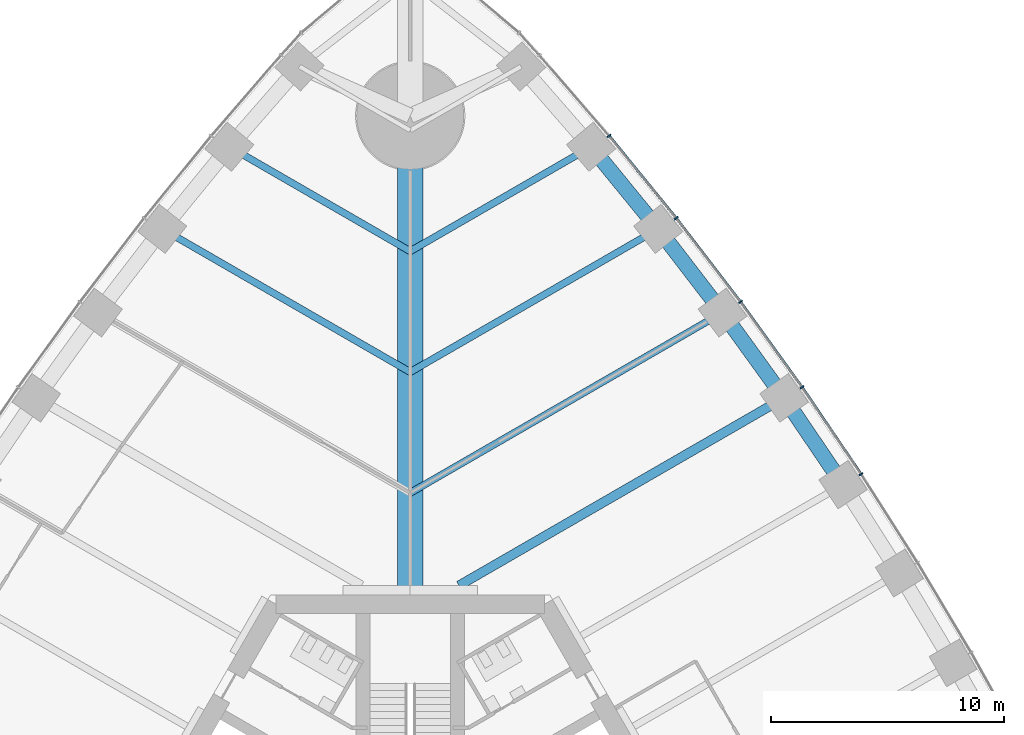
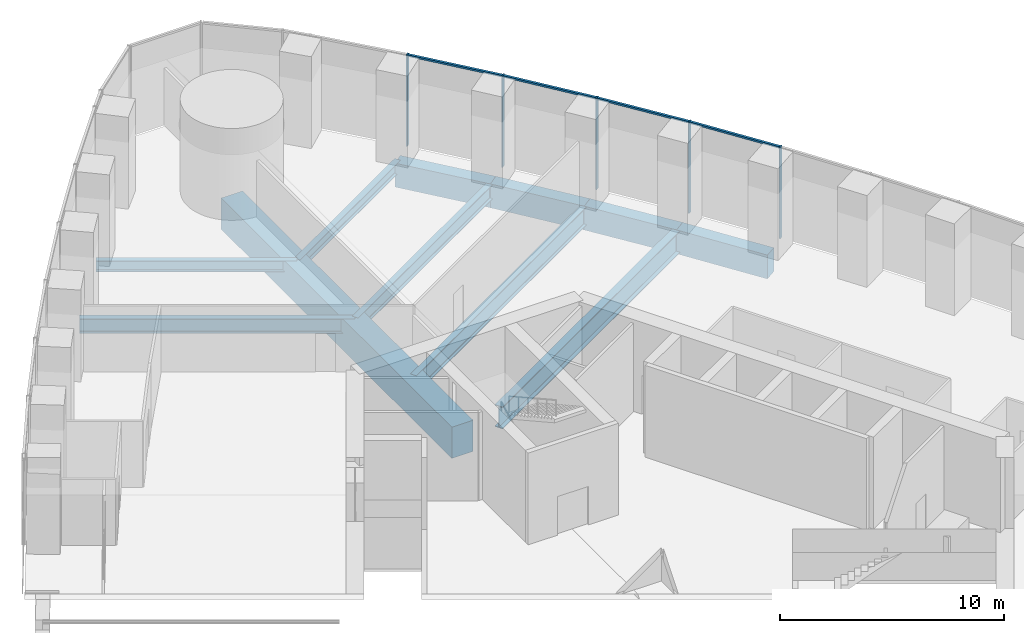
# One storey, part 10 of 21: 11 beams, 9 members, 1 element without a shape of its own.
"""IFC4 building model written with IfcOpenShell, lengths in metres."""

from ifc_helpers import new_model, si_unit, direction, frame, origin, origin_2d, place, context, subcontext, project, spatial, rectangle, i_section, extrude, material, material_profile, profile_set, type_object, element, aggregate, save


model = new_model("IFC4")

# Units and contexts
model_context = context("Model", 3, precision=1e-05, world=origin(), true_north=direction((0.0, 1.0)))
body_context = subcontext(model_context, "Body", "Model", "MODEL_VIEW")
ifc_project = project(units=[si_unit("LENGTHUNIT", "METRE"), si_unit("AREAUNIT", "SQUARE_METRE"), si_unit("VOLUMEUNIT", "CUBIC_METRE"), si_unit("PLANEANGLEUNIT", "RADIAN"), si_unit("MASSUNIT", "GRAM", prefix="KILO")], contexts=[model_context])

# Site, building, storey
site_placement = place(None, origin())
site = spatial("IfcSite", under=ifc_project, at=site_placement, CompositionType="ELEMENT")
building_placement = place(site_placement, origin())
building = spatial("IfcBuilding", under=site, at=building_placement, Name="Trefoil Bronze Tower", CompositionType="ELEMENT")
storey_placement = place(building_placement, frame((0.0, 0.0, 11.5)))
storey = spatial("IfcBuildingStorey", under=building, at=storey_placement, Name="L02", CompositionType="ELEMENT", Elevation=11.5)

# Curtain wall, members
ifc_material_1 = material(Name="Tinted solar-control glass", Category="glass")
curtain_wall_type = type_object("IfcCurtainWallType", Name="Bronze podium storefront curtain wall", PredefinedType="USERDEFINED", material=ifc_material_1)
curtain_wall_placement = place(storey_placement, origin())
curtain_wall = element("IfcCurtainWall", 1, at=curtain_wall_placement, inside=storey, type_object=curtain_wall_type, Name="CW-C L02 F2", ObjectType="CURTAIN WALL", PredefinedType="USERDEFINED")
ifc_material_2 = material(Name="Bronze-finish aluminium", Category="aluminium")
ifc_material_profile_1 = material_profile(ifc_material_2, rectangle(XDim=0.199951171875, YDim=0.06005859375, at=origin_2d()), Name="CW-C mullion")
ifc_profile_set_1 = profile_set([ifc_material_profile_1], Name="Bronze-finish aluminium")
member_type_1 = type_object("IfcMemberType", Name="Bronze podium storefront curtain wall mullion", PredefinedType="MULLION", material=ifc_profile_set_1)
member_1_placement = place(storey_placement, frame((19.38818359375, 21.5927734375, 0.0), z_axis=(0.0, 0.0, 1.0), x_axis=(-0.835543651684, -0.549424067665, 0.0)))
member_1 = element("IfcMember", 2, at=member_1_placement, type_object=member_type_1, Name="CW-C L02 F2 mullion 11", PredefinedType="MULLION", context=body_context, shape_type="SweptSolid", body=[
    extrude(rectangle(XDim=0.199951171875, YDim=0.06005859375, at=origin_2d()), origin(), (0.0, 0.0, 1.0), 4.97998046875),
])
member_2_placement = place(storey_placement, frame((16.853271484375, 25.32861328125, 0.0), z_axis=(0.0, 0.0, 1.0), x_axis=(-0.819204207116, -0.573501932903, 0.0)))
member_2 = element("IfcMember", 3, at=member_2_placement, type_object=member_type_1, Name="CW-C L02 F2 mullion 12", PredefinedType="MULLION", context=body_context, shape_type="SweptSolid", body=[
    extrude(rectangle(XDim=0.199951171875, YDim=0.06005859375, at=origin_2d()), origin(), (0.0, 0.0, 1.0), 4.97998046875),
])
member_3_placement = place(storey_placement, frame((14.20361328125, 28.99853515625, 0.0), z_axis=(0.0, 0.0, 1.0), x_axis=(-0.802126748469, -0.59715381552, 0.0)))
member_3 = element("IfcMember", 4, at=member_3_placement, type_object=member_type_1, Name="CW-C L02 F2 mullion 13", PredefinedType="MULLION", context=body_context, shape_type="SweptSolid", body=[
    extrude(rectangle(XDim=0.199951171875, YDim=0.06005859375, at=origin_2d()), origin(), (0.0, 0.0, 1.0), 4.97998046875),
])
member_4_placement = place(storey_placement, frame((11.4384765625, 32.6015625, 0.0), z_axis=(0.0, 0.0, 1.0), x_axis=(-0.784304615744, -0.620375910011, 0.0)))
member_4 = element("IfcMember", 5, at=member_4_placement, type_object=member_type_1, Name="CW-C L02 F2 mullion 14", PredefinedType="MULLION", context=body_context, shape_type="SweptSolid", body=[
    extrude(rectangle(XDim=0.199951171875, YDim=0.06005859375, at=origin_2d()), origin(), (0.0, 0.0, 1.0), 4.97998046875),
])
member_5_placement = place(storey_placement, frame((8.556640625, 36.13720703125, 0.0), z_axis=(0.0, 0.0, 1.0), x_axis=(-0.765729101889, -0.643163231629, 0.0)))
member_5 = element("IfcMember", 6, at=member_5_placement, type_object=member_type_1, Name="CW-C L02 F2 mullion 15", PredefinedType="MULLION", context=body_context, shape_type="SweptSolid", body=[
    extrude(rectangle(XDim=0.199951171875, YDim=0.06005859375, at=origin_2d()), origin(), (0.0, 0.0, 1.0), 4.97998046875),
])
ifc_material_3 = material(Name="Bronze-finish aluminium", Category="aluminium")
ifc_material_profile_2 = material_profile(ifc_material_3, rectangle(XDim=0.1201171875, YDim=0.10009765625, at=origin_2d()), Name="CW-C transom")
ifc_profile_set_2 = profile_set([ifc_material_profile_2], Name="Bronze-finish aluminium")
member_type_2 = type_object("IfcMemberType", Name="Bronze podium storefront curtain wall transom", PredefinedType="USERDEFINED", material=ifc_profile_set_2)
member_6_placement = place(storey_placement, frame((19.37060546875, 21.618896484375, 4.929931640625), z_axis=(-0.561502759392, 0.827474864388, 0.0), x_axis=(-0.827474864388, -0.561502759392, 0.0)))
member_6 = element("IfcMember", 7, at=member_6_placement, type_object=member_type_2, Name="CW-C L02 F2 transom 11", ObjectType="TRANSOM", PredefinedType="USERDEFINED", context=body_context, shape_type="SweptSolid", body=[
    extrude(rectangle(XDim=0.1201171875, YDim=0.10009765625, at=origin_2d()), origin(), (0.0, 0.0, 1.0), 4.451904296875),
])
member_7_placement = place(storey_placement, frame((16.834716796875, 25.354248046875, 4.929931640625), z_axis=(-0.585390692876, 0.810751340853, 0.0), x_axis=(-0.810751340853, -0.585390692876, 0.0)))
member_7 = element("IfcMember", 8, at=member_7_placement, type_object=member_type_2, Name="CW-C L02 F2 transom 12", ObjectType="TRANSOM", PredefinedType="USERDEFINED", context=body_context, shape_type="SweptSolid", body=[
    extrude(rectangle(XDim=0.1201171875, YDim=0.10009765625, at=origin_2d()), origin(), (0.0, 0.0, 1.0), 4.46337890625),
])
member_8_placement = place(storey_placement, frame((14.1845703125, 29.0234375, 4.929931640625), z_axis=(-0.608806818405, 0.79331850972, 0.0), x_axis=(-0.79331850972, -0.608806818405, 0.0)))
member_8 = element("IfcMember", 9, at=member_8_placement, type_object=member_type_2, Name="CW-C L02 F2 transom 13", ObjectType="TRANSOM", PredefinedType="USERDEFINED", context=body_context, shape_type="SweptSolid", body=[
    extrude(rectangle(XDim=0.1201171875, YDim=0.10009765625, at=origin_2d()), origin(), (0.0, 0.0, 1.0), 4.47900390625),
])
member_9_placement = place(storey_placement, frame((11.418701171875, 32.6259765625, 4.929931640625), z_axis=(-0.631829981334, 0.77510700854, 0.0), x_axis=(-0.77510700854, -0.631829981334, 0.0)))
member_9 = element("IfcMember", 10, at=member_9_placement, type_object=member_type_2, Name="CW-C L02 F2 transom 14", ObjectType="TRANSOM", PredefinedType="USERDEFINED", context=body_context, shape_type="SweptSolid", body=[
    extrude(rectangle(XDim=0.1201171875, YDim=0.10009765625, at=origin_2d()), origin(), (0.0, 0.0, 1.0), 4.49853515625),
])
aggregate(curtain_wall, [member_1, member_2, member_3, member_4, member_5, member_6, member_7, member_8, member_9])

# Beams
ifc_material_4 = material(Name="Concrete B80", Category="concrete")
ifc_material_profile_3 = material_profile(ifc_material_4, rectangle(XDim=1.10009765625, YDim=1.699951171875, at=origin_2d()), Name="RC 1100x1700")
ifc_profile_set_3 = profile_set([ifc_material_profile_3], Name="Concrete B80")
beam_type_1 = type_object("IfcBeamType", Name="Corner girder RC 1100x1700", PredefinedType="BEAM", material=ifc_profile_set_3)
beam_1_placement = place(storey_placement, frame((0.0, 16.39990234375, -1.050048828125), z_axis=(0.0, 1.0, 0.0), x_axis=(-1.0, 0.0, 0.0)))
element("IfcBeam", 11, at=beam_1_placement, inside=storey, type_object=beam_type_1, Name="Corner girder K2 L02", PredefinedType="BEAM", context=body_context, shape_type="SweptSolid", body=[
    extrude(rectangle(XDim=1.10009765625, YDim=1.699951171875, at=origin_2d()), origin(), (0.0, 0.0, 1.0), 20.60009765625),
])
ifc_material_5 = material(Name="Steel C355", Category="steel")
ifc_material_profile_4 = material_profile(ifc_material_5, i_section(OverallWidth=0.300048828125, OverallDepth=0.60009765625, WebThickness=0.015380859375, FlangeThickness=0.030029296875, FilletRadius=0.027099609375, at=origin_2d()), Name="HEB 600")
ifc_profile_set_4 = profile_set([ifc_material_profile_4], Name="Steel C355")
beam_type_2 = type_object("IfcBeamType", Name="Floor beam HEB 600", PredefinedType="BEAM", material=ifc_profile_set_4)
for number, where, z_axis, x_axis, name in (
    (12, (7.7763671875, 35.666748046875, -0.5), (-0.866022587327, -0.500004878216, 0.0), (0.500004878216, -0.866022587327, 0.0), "Floor beam F2/+6 L02"),
    (13, (-7.7763671875, 35.666748046875, -0.5), (0.866022587327, -0.500004878216, 0.0), (0.500004878216, 0.866022587327, 0.0), "Floor beam F3/-6 L02"),
):
    element("IfcBeam", number, at=place(storey_placement, frame(where, z_axis=z_axis, x_axis=x_axis)), inside=storey, type_object=beam_type_2, Name=name, PredefinedType="BEAM", context=body_context, shape_type="SweptSolid", body=[
        extrude(i_section(OverallWidth=0.300048828125, OverallDepth=0.60009765625, WebThickness=0.015380859375, FlangeThickness=0.030029296875, FilletRadius=0.027099609375, at=origin_2d()), origin(), (0.0, 0.0, 1.0), 8.9794921875),
    ])
ifc_material_6 = material(Name="Steel C355", Category="steel")
ifc_material_profile_5 = material_profile(ifc_material_6, i_section(OverallWidth=0.300048828125, OverallDepth=0.800048828125, WebThickness=0.017578125, FlangeThickness=0.032958984375, FilletRadius=0.030029296875, at=origin_2d()), Name="HEB 800")
ifc_profile_set_5 = profile_set([ifc_material_profile_5], Name="Steel C355")
beam_type_3 = type_object("IfcBeamType", Name="Floor beam HEB 800", PredefinedType="BEAM", material=ifc_profile_set_5)
for number, where, z_axis, x_axis, name in (
    (14, (10.659912109375, 32.13525390625, -0.60009765625), (-0.866024070878, -0.500002308654, 0.0), (0.500002308654, -0.866024070878, 0.0), "Floor beam F2/+5 L02"),
    (15, (-10.659912109375, 32.13525390625, -0.60009765625), (0.866024070878, -0.500002308654, 0.0), (0.500002308654, 0.866024070878, 0.0), "Floor beam F3/-5 L02"),
):
    element("IfcBeam", number, at=place(storey_placement, frame(where, z_axis=z_axis, x_axis=x_axis)), inside=storey, type_object=beam_type_3, Name=name, PredefinedType="BEAM", context=body_context, shape_type="SweptSolid", body=[
        extrude(i_section(OverallWidth=0.300048828125, OverallDepth=0.800048828125, WebThickness=0.017578125, FlangeThickness=0.032958984375, FilletRadius=0.030029296875, at=origin_2d()), origin(), (0.0, 0.0, 1.0), 12.30908203125),
    ])
ifc_material_7 = material(Name="Steel C355", Category="steel")
ifc_material_profile_6 = material_profile(ifc_material_7, i_section(OverallWidth=0.302001953125, OverallDepth=1.008056640625, WebThickness=0.02099609375, FlangeThickness=0.0400390625, FilletRadius=0.030029296875, at=origin_2d()), Name="HEM 1000")
ifc_profile_set_6 = profile_set([ifc_material_profile_6], Name="Steel C355")
beam_type_4 = type_object("IfcBeamType", Name="Floor beam HEM 1000", PredefinedType="BEAM", material=ifc_profile_set_6)
beam_2_placement = place(storey_placement, frame((13.42578125, 28.5361328125, -0.7041015625), z_axis=(-0.866022989816, -0.500004181093, 0.0), x_axis=(0.500004181093, -0.866022989816, 0.0)))
element("IfcBeam", 16, at=beam_2_placement, inside=storey, type_object=beam_type_4, Name="Floor beam F2/+4 L02", PredefinedType="BEAM", context=body_context, shape_type="SweptSolid", body=[
    extrude(i_section(OverallWidth=0.302001953125, OverallDepth=1.008056640625, WebThickness=0.02099609375, FlangeThickness=0.0400390625, FilletRadius=0.030029296875, at=origin_2d()), origin(), (0.0, 0.0, 1.0), 15.502685546875),
])
ifc_material_8 = material(Name="Steel C355", Category="steel")
ifc_material_profile_7 = material_profile(ifc_material_8, i_section(OverallWidth=0.39990234375, OverallDepth=1.199951171875, WebThickness=0.02001953125, FlangeThickness=0.0400390625, FilletRadius=0.010009765625, at=origin_2d()), Name="WPG 1200")
ifc_profile_set_7 = profile_set([ifc_material_profile_7], Name="Steel C355")
beam_type_5 = type_object("IfcBeamType", Name="Floor beam WPG 1200", PredefinedType="BEAM", material=ifc_profile_set_7)
beam_3_placement = place(storey_placement, frame((16.075927734375, 24.869873046875, -0.800048828125), z_axis=(-0.866028401131, -0.499994808408, 0.0), x_axis=(0.499994808408, -0.866028401131, 0.0)))
element("IfcBeam", 17, at=beam_3_placement, inside=storey, type_object=beam_type_5, Name="Floor beam F2/+3 L02", PredefinedType="BEAM", context=body_context, shape_type="SweptSolid", body=[
    extrude(i_section(OverallWidth=0.39990234375, OverallDepth=1.199951171875, WebThickness=0.02001953125, FlangeThickness=0.0400390625, FilletRadius=0.010009765625, at=origin_2d()), origin(), (0.0, 0.0, 1.0), 16.139892578125),
])
ifc_material_9 = material(Name="Concrete B80", Category="concrete")
ifc_material_profile_8 = material_profile(ifc_material_9, rectangle(XDim=0.64990234375, YDim=1.300048828125, at=origin_2d()), Name="RC 650x1300")
ifc_profile_set_8 = profile_set([ifc_material_profile_8], Name="Concrete B80")
beam_type_6 = type_object("IfcBeamType", Name="Spandrel beam RC 650x1300", PredefinedType="SPANDREL", material=ifc_profile_set_8)
beam_4_placement = place(storey_placement, frame((18.61083984375, 21.13720703125, -0.85009765625), z_axis=(-0.561809680291, 0.827266512758, 0.0), x_axis=(-0.827266512758, -0.561809680291, 0.0)))
element("IfcBeam", 18, at=beam_4_placement, inside=storey, type_object=beam_type_6, Name="Spandrel F2.11 L02", PredefinedType="SPANDREL", context=body_context, shape_type="SweptSolid", body=[
    extrude(rectangle(XDim=0.64990234375, YDim=1.300048828125, at=origin_2d()), origin(), (0.0, 0.0, 1.0), 4.511962890625),
])
beam_5_placement = place(storey_placement, frame((16.075927734375, 24.869873046875, -0.85009765625), z_axis=(-0.585823508301, 0.810438657223, 0.0), x_axis=(-0.810438657223, -0.585823508301, 0.0)))
element("IfcBeam", 19, at=beam_5_placement, inside=storey, type_object=beam_type_6, Name="Spandrel F2.12 L02", PredefinedType="SPANDREL", context=body_context, shape_type="SweptSolid", body=[
    extrude(rectangle(XDim=0.64990234375, YDim=1.300048828125, at=origin_2d()), origin(), (0.0, 0.0, 1.0), 4.523681640625),
])
beam_6_placement = place(storey_placement, frame((13.42578125, 28.5361328125, -0.85009765625), z_axis=(-0.609338992146, 0.792909826305, 0.0), x_axis=(-0.792909826305, -0.609338992146, 0.0)))
element("IfcBeam", 20, at=beam_6_placement, inside=storey, type_object=beam_type_6, Name="Spandrel F2.13 L02", PredefinedType="SPANDREL", context=body_context, shape_type="SweptSolid", body=[
    extrude(rectangle(XDim=0.64990234375, YDim=1.300048828125, at=origin_2d()), origin(), (0.0, 0.0, 1.0), 4.5390625),
])
beam_7_placement = place(storey_placement, frame((10.659912109375, 32.13525390625, -0.85009765625), z_axis=(-0.632467643363, 0.774586780225, 0.0), x_axis=(-0.774586780225, -0.632467643363, 0.0)))
element("IfcBeam", 21, at=beam_7_placement, inside=storey, type_object=beam_type_6, Name="Spandrel F2.14 L02", PredefinedType="SPANDREL", context=body_context, shape_type="SweptSolid", body=[
    extrude(rectangle(XDim=0.64990234375, YDim=1.300048828125, at=origin_2d()), origin(), (0.0, 0.0, 1.0), 4.55908203125),
])

save(model, "model.ifc")
